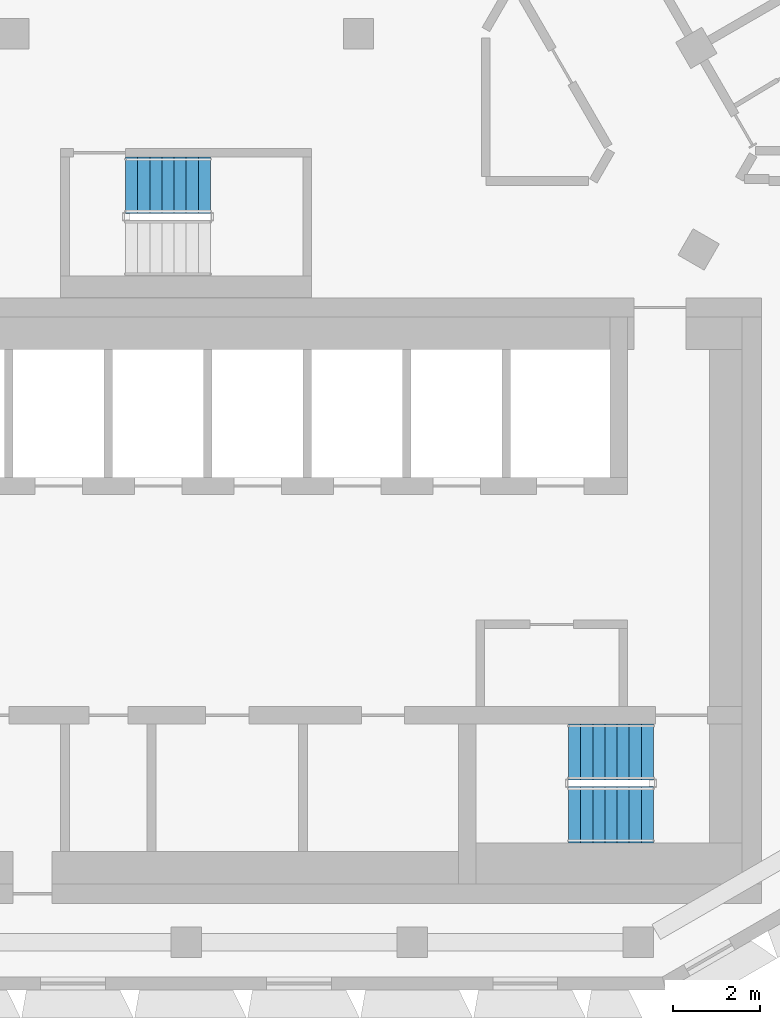
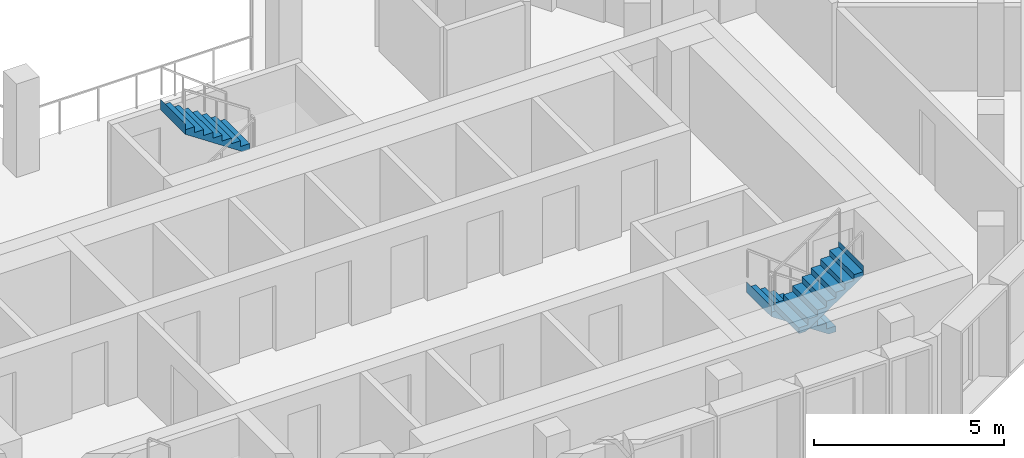
# One storey, part 9 of 14: 3 stair flights, 2 elements without a shape of their own.
"""IFC4 building model written with IfcOpenShell, lengths in metres."""

from ifc_helpers import new_model, si_unit, direction, frame, origin, place, context, subcontext, project, spatial, triangles, material, type_object, element, aggregate, save


model = new_model("IFC4")

# Units and contexts
model_context = context("Model", 3, precision=1e-05, world=origin(), true_north=direction((0.0, 1.0)))
body_context = subcontext(model_context, "Body", "Model", "MODEL_VIEW")
ifc_project = project(units=[si_unit("LENGTHUNIT", "METRE"), si_unit("AREAUNIT", "SQUARE_METRE"), si_unit("VOLUMEUNIT", "CUBIC_METRE"), si_unit("PLANEANGLEUNIT", "RADIAN"), si_unit("MASSUNIT", "GRAM", prefix="KILO")], contexts=[model_context])

# Site, building, storey
site_placement = place(None, origin())
site = spatial("IfcSite", under=ifc_project, at=site_placement, CompositionType="ELEMENT")
building_placement = place(site_placement, origin())
building = spatial("IfcBuilding", under=site, at=building_placement, Name="Beryl Residences", CompositionType="ELEMENT")
storey_placement = place(building_placement, frame((0.0, 0.0, 223.800048828125)))
storey = spatial("IfcBuildingStorey", under=building, at=storey_placement, Name="L69", CompositionType="ELEMENT", Elevation=223.800048828125)

# Stair, stair flights
ifc_material_1 = material(Name="Concrete C40/50", Category="concrete")
stair_type = type_object("IfcStairType", Name="ST1 protected exit stair, half-turn, 1300 mm flights", PredefinedType="HALF_TURN_STAIR", material=ifc_material_1)
stair_1_placement = place(storey_placement, origin())
stair_1 = element("IfcStair", 1, at=stair_1_placement, inside=storey, type_object=stair_type, Name="L69 PROTECTED EXIT STAIR ST-3", PredefinedType="HALF_TURN_STAIR")
ifc_material_2 = material(Name="Concrete C40/50", Category="concrete")
stair_flight_type = type_object("IfcStairFlightType", Name="SF1 stair flight 1300 mm", PredefinedType="STRAIGHT", material=ifc_material_2)
stair_flight_1_placement = place(storey_placement, frame((10.800048828125, -15.5, 0.0), z_axis=(0.0, 0.0, 1.0), x_axis=(-1.0, 0.0, 0.0)))
stair_flight_1 = element("IfcStairFlight", 2, at=stair_flight_1_placement, type_object=stair_flight_type, Name="ST-3 flight 1", NumberOfRisers=8, NumberOfTreads=7, PredefinedType="STRAIGHT", RiserHeight=0.1875, TreadLength=0.28, context=body_context, shape_type="Tessellation", body=[
    triangles([(0.0, -0.64990234375, 0.0), (0.0, -0.324951171875, 0.0), (0.0, 0.0, 0.0), (0.0, 0.324951171875, 0.0), (0.0, 0.64990234375, 0.0), (0.0, -0.64990234375, 0.1875), (0.0, -0.324951171875, 0.1875), (0.0, 0.0, 0.1875), (0.0, 0.324951171875, 0.1875), (0.0, 0.64990234375, 0.1875), (0.280029296875, -0.64990234375, 0.1875), (0.280029296875, -0.324951171875, 0.1875), (0.280029296875, 0.0, 0.1875), (0.280029296875, 0.324951171875, 0.1875), (0.280029296875, 0.64990234375, 0.1875), (0.280029296875, -0.64990234375, 0.375), (0.280029296875, -0.324951171875, 0.375), (0.280029296875, 0.0, 0.375), (0.280029296875, 0.324951171875, 0.375), (0.280029296875, 0.64990234375, 0.375), (0.56005859375, -0.64990234375, 0.375), (0.56005859375, -0.324951171875, 0.375), (0.56005859375, 0.0, 0.375), (0.56005859375, 0.324951171875, 0.375), (0.56005859375, 0.64990234375, 0.375), (0.56005859375, -0.64990234375, 0.5625), (0.56005859375, -0.324951171875, 0.5625), (0.56005859375, 0.0, 0.5625), (0.56005859375, 0.324951171875, 0.5625), (0.56005859375, 0.64990234375, 0.5625), (0.840087890625, -0.64990234375, 0.5625), (0.840087890625, -0.324951171875, 0.5625), (0.840087890625, 0.0, 0.5625), (0.840087890625, 0.324951171875, 0.5625), (0.840087890625, 0.64990234375, 0.5625), (0.840087890625, -0.64990234375, 0.75), (0.840087890625, -0.324951171875, 0.75), (0.840087890625, 0.0, 0.75), (0.840087890625, 0.324951171875, 0.75), (0.840087890625, 0.64990234375, 0.75), (1.1201171875, -0.64990234375, 0.75), (1.1201171875, -0.324951171875, 0.75), (1.1201171875, 0.0, 0.75), (1.1201171875, 0.324951171875, 0.75), (1.1201171875, 0.64990234375, 0.75), (1.1201171875, -0.64990234375, 0.9375), (1.1201171875, -0.324951171875, 0.9375), (1.1201171875, 0.0, 0.9375), (1.1201171875, 0.324951171875, 0.9375), (1.1201171875, 0.64990234375, 0.9375), (1.39990234375, -0.64990234375, 0.9375), (1.39990234375, -0.324951171875, 0.9375), (1.39990234375, 0.0, 0.9375), (1.39990234375, 0.324951171875, 0.9375), (1.39990234375, 0.64990234375, 0.9375), (1.39990234375, -0.64990234375, 1.125), (1.39990234375, -0.324951171875, 1.125), (1.39990234375, 0.0, 1.125), (1.39990234375, 0.324951171875, 1.125), (1.39990234375, 0.64990234375, 1.125), (1.679931640625, -0.64990234375, 1.125), (1.679931640625, -0.324951171875, 1.125), (1.679931640625, 0.0, 1.125), (1.679931640625, 0.324951171875, 1.125), (1.679931640625, 0.64990234375, 1.125), (1.679931640625, -0.64990234375, 1.3125), (1.679931640625, -0.324951171875, 1.3125), (1.679931640625, 0.0, 1.3125), (1.679931640625, 0.324951171875, 1.3125), (1.679931640625, 0.64990234375, 1.3125), (1.9599609375, -0.64990234375, 1.3125), (1.9599609375, -0.324951171875, 1.3125), (1.9599609375, 0.0, 1.3125), (1.9599609375, 0.324951171875, 1.3125), (1.9599609375, 0.64990234375, 1.3125), (1.9599609375, -0.64990234375, 1.5), (1.9599609375, -0.324951171875, 1.5), (1.9599609375, 0.0, 1.5), (1.9599609375, 0.324951171875, 1.5), (1.9599609375, 0.64990234375, 1.5), (1.9609375, -0.64990234375, 1.5), (1.9609375, -0.324951171875, 1.5), (1.9609375, 0.0, 1.5), (1.9609375, 0.324951171875, 1.5), (1.9609375, 0.64990234375, 1.5), (1.9609375, -0.64990234375, 1.16796875), (1.9609375, -0.324951171875, 1.16796875), (1.9609375, 0.0, 1.16796875), (1.9609375, 0.324951171875, 1.16796875), (1.9609375, 0.64990234375, 1.16796875), (0.216796875, -0.64990234375, 0.0), (0.216796875, -0.324951171875, 0.0), (0.216796875, 0.0, 0.0), (0.216796875, 0.324951171875, 0.0), (0.216796875, 0.64990234375, 0.0)], [[1, 6, 7], [1, 7, 2], [2, 7, 8], [2, 8, 3], [3, 8, 9], [3, 9, 4], [4, 9, 10], [4, 10, 5], [6, 11, 12], [6, 12, 7], [7, 12, 13], [7, 13, 8], [8, 13, 14], [8, 14, 9], [9, 14, 15], [9, 15, 10], [11, 16, 17], [11, 17, 12], [12, 17, 18], [12, 18, 13], [13, 18, 19], [13, 19, 14], [14, 19, 20], [14, 20, 15], [16, 21, 22], [16, 22, 17], [17, 22, 23], [17, 23, 18], [18, 23, 24], [18, 24, 19], [19, 24, 25], [19, 25, 20], [21, 26, 27], [21, 27, 22], [22, 27, 28], [22, 28, 23], [23, 28, 29], [23, 29, 24], [24, 29, 30], [24, 30, 25], [26, 31, 32], [26, 32, 27], [27, 32, 33], [27, 33, 28], [28, 33, 34], [28, 34, 29], [29, 34, 35], [29, 35, 30], [31, 36, 37], [31, 37, 32], [32, 37, 38], [32, 38, 33], [33, 38, 39], [33, 39, 34], [34, 39, 40], [34, 40, 35], [36, 41, 42], [36, 42, 37], [37, 42, 43], [37, 43, 38], [38, 43, 44], [38, 44, 39], [39, 44, 45], [39, 45, 40], [41, 46, 47], [41, 47, 42], [42, 47, 48], [42, 48, 43], [43, 48, 49], [43, 49, 44], [44, 49, 50], [44, 50, 45], [46, 51, 52], [46, 52, 47], [47, 52, 53], [47, 53, 48], [48, 53, 54], [48, 54, 49], [49, 54, 55], [49, 55, 50], [51, 56, 57], [51, 57, 52], [52, 57, 58], [52, 58, 53], [53, 58, 59], [53, 59, 54], [54, 59, 60], [54, 60, 55], [56, 61, 62], [56, 62, 57], [57, 62, 63], [57, 63, 58], [58, 63, 64], [58, 64, 59], [59, 64, 65], [59, 65, 60], [61, 66, 67], [61, 67, 62], [62, 67, 68], [62, 68, 63], [63, 68, 69], [63, 69, 64], [64, 69, 70], [64, 70, 65], [66, 71, 72], [66, 72, 67], [67, 72, 73], [67, 73, 68], [68, 73, 74], [68, 74, 69], [69, 74, 75], [69, 75, 70], [71, 76, 77], [71, 77, 72], [72, 77, 78], [72, 78, 73], [73, 78, 79], [73, 79, 74], [74, 79, 80], [74, 80, 75], [76, 81, 82], [76, 82, 77], [77, 82, 83], [77, 83, 78], [78, 83, 84], [78, 84, 79], [79, 84, 85], [79, 85, 80], [81, 86, 87], [81, 87, 82], [82, 87, 88], [82, 88, 83], [83, 88, 89], [83, 89, 84], [84, 89, 90], [84, 90, 85], [86, 91, 92], [86, 92, 87], [87, 92, 93], [87, 93, 88], [88, 93, 94], [88, 94, 89], [89, 94, 95], [89, 95, 90], [91, 1, 2], [91, 2, 92], [92, 2, 3], [92, 3, 93], [93, 3, 4], [93, 4, 94], [94, 4, 5], [94, 5, 95], [1, 91, 86], [5, 90, 95], [86, 81, 76], [90, 80, 85], [86, 76, 71], [90, 75, 80], [86, 71, 66], [90, 70, 75], [86, 66, 61], [90, 65, 70], [61, 56, 51], [65, 55, 60], [86, 61, 51], [90, 55, 65], [51, 46, 41], [55, 45, 50], [86, 51, 41], [90, 45, 55], [41, 36, 31], [45, 35, 40], [86, 41, 31], [90, 35, 45], [31, 26, 21], [35, 25, 30], [86, 31, 21], [90, 25, 35], [21, 16, 11], [25, 15, 20], [86, 21, 11], [90, 15, 25], [1, 86, 11], [5, 15, 90], [11, 6, 1], [15, 5, 10]], closed=True),
])
stair_flight_2_placement = place(storey_placement, frame((8.840087890625, -16.949951171875, 1.5), z_axis=(0.0, 0.0, 1.0), x_axis=(1.0, 0.0, 0.0)))
stair_flight_2 = element("IfcStairFlight", 3, at=stair_flight_2_placement, type_object=stair_flight_type, Name="ST-3 flight 2", NumberOfRisers=8, NumberOfTreads=7, PredefinedType="STRAIGHT", RiserHeight=0.1875, TreadLength=0.28, context=body_context, shape_type="Tessellation", body=[
    triangles([(0.0, -0.64990234375, 0.0), (0.0, -0.324951171875, 0.0), (0.0, 0.0, 0.0), (0.0, 0.324951171875, 0.0), (0.0, 0.64990234375, 0.0), (0.0, -0.64990234375, 0.1875), (0.0, -0.324951171875, 0.1875), (0.0, 0.0, 0.1875), (0.0, 0.324951171875, 0.1875), (0.0, 0.64990234375, 0.1875), (0.280029296875, -0.64990234375, 0.1875), (0.280029296875, -0.324951171875, 0.1875), (0.280029296875, 0.0, 0.1875), (0.280029296875, 0.324951171875, 0.1875), (0.280029296875, 0.64990234375, 0.1875), (0.280029296875, -0.64990234375, 0.375), (0.280029296875, -0.324951171875, 0.375), (0.280029296875, 0.0, 0.375), (0.280029296875, 0.324951171875, 0.375), (0.280029296875, 0.64990234375, 0.375), (0.56005859375, -0.64990234375, 0.375), (0.56005859375, -0.324951171875, 0.375), (0.56005859375, 0.0, 0.375), (0.56005859375, 0.324951171875, 0.375), (0.56005859375, 0.64990234375, 0.375), (0.56005859375, -0.64990234375, 0.5625), (0.56005859375, -0.324951171875, 0.5625), (0.56005859375, 0.0, 0.5625), (0.56005859375, 0.324951171875, 0.5625), (0.56005859375, 0.64990234375, 0.5625), (0.840087890625, -0.64990234375, 0.5625), (0.840087890625, -0.324951171875, 0.5625), (0.840087890625, 0.0, 0.5625), (0.840087890625, 0.324951171875, 0.5625), (0.840087890625, 0.64990234375, 0.5625), (0.840087890625, -0.64990234375, 0.75), (0.840087890625, -0.324951171875, 0.75), (0.840087890625, 0.0, 0.75), (0.840087890625, 0.324951171875, 0.75), (0.840087890625, 0.64990234375, 0.75), (1.1201171875, -0.64990234375, 0.75), (1.1201171875, -0.324951171875, 0.75), (1.1201171875, 0.0, 0.75), (1.1201171875, 0.324951171875, 0.75), (1.1201171875, 0.64990234375, 0.75), (1.1201171875, -0.64990234375, 0.9375), (1.1201171875, -0.324951171875, 0.9375), (1.1201171875, 0.0, 0.9375), (1.1201171875, 0.324951171875, 0.9375), (1.1201171875, 0.64990234375, 0.9375), (1.39990234375, -0.64990234375, 0.9375), (1.39990234375, -0.324951171875, 0.9375), (1.39990234375, 0.0, 0.9375), (1.39990234375, 0.324951171875, 0.9375), (1.39990234375, 0.64990234375, 0.9375), (1.39990234375, -0.64990234375, 1.125), (1.39990234375, -0.324951171875, 1.125), (1.39990234375, 0.0, 1.125), (1.39990234375, 0.324951171875, 1.125), (1.39990234375, 0.64990234375, 1.125), (1.679931640625, -0.64990234375, 1.125), (1.679931640625, -0.324951171875, 1.125), (1.679931640625, 0.0, 1.125), (1.679931640625, 0.324951171875, 1.125), (1.679931640625, 0.64990234375, 1.125), (1.679931640625, -0.64990234375, 1.3125), (1.679931640625, -0.324951171875, 1.3125), (1.679931640625, 0.0, 1.3125), (1.679931640625, 0.324951171875, 1.3125), (1.679931640625, 0.64990234375, 1.3125), (1.9599609375, -0.64990234375, 1.3125), (1.9599609375, -0.324951171875, 1.3125), (1.9599609375, 0.0, 1.3125), (1.9599609375, 0.324951171875, 1.3125), (1.9599609375, 0.64990234375, 1.3125), (1.9599609375, -0.64990234375, 1.5), (1.9599609375, -0.324951171875, 1.5), (1.9599609375, 0.0, 1.5), (1.9599609375, 0.324951171875, 1.5), (1.9599609375, 0.64990234375, 1.5), (1.9609375, -0.64990234375, 1.5), (1.9609375, -0.324951171875, 1.5), (1.9609375, 0.0, 1.5), (1.9609375, 0.324951171875, 1.5), (1.9609375, 0.64990234375, 1.5), (1.9609375, -0.64990234375, 1.16796875), (1.9609375, -0.324951171875, 1.16796875), (1.9609375, 0.0, 1.16796875), (1.9609375, 0.324951171875, 1.16796875), (1.9609375, 0.64990234375, 1.16796875), (0.216796875, -0.64990234375, 0.0), (0.216796875, -0.324951171875, 0.0), (0.216796875, 0.0, 0.0), (0.216796875, 0.324951171875, 0.0), (0.216796875, 0.64990234375, 0.0)], [[1, 6, 7], [1, 7, 2], [2, 7, 8], [2, 8, 3], [3, 8, 9], [3, 9, 4], [4, 9, 10], [4, 10, 5], [6, 11, 12], [6, 12, 7], [7, 12, 13], [7, 13, 8], [8, 13, 14], [8, 14, 9], [9, 14, 15], [9, 15, 10], [11, 16, 17], [11, 17, 12], [12, 17, 18], [12, 18, 13], [13, 18, 19], [13, 19, 14], [14, 19, 20], [14, 20, 15], [16, 21, 22], [16, 22, 17], [17, 22, 23], [17, 23, 18], [18, 23, 24], [18, 24, 19], [19, 24, 25], [19, 25, 20], [21, 26, 27], [21, 27, 22], [22, 27, 28], [22, 28, 23], [23, 28, 29], [23, 29, 24], [24, 29, 30], [24, 30, 25], [26, 31, 32], [26, 32, 27], [27, 32, 33], [27, 33, 28], [28, 33, 34], [28, 34, 29], [29, 34, 35], [29, 35, 30], [31, 36, 37], [31, 37, 32], [32, 37, 38], [32, 38, 33], [33, 38, 39], [33, 39, 34], [34, 39, 40], [34, 40, 35], [36, 41, 42], [36, 42, 37], [37, 42, 43], [37, 43, 38], [38, 43, 44], [38, 44, 39], [39, 44, 45], [39, 45, 40], [41, 46, 47], [41, 47, 42], [42, 47, 48], [42, 48, 43], [43, 48, 49], [43, 49, 44], [44, 49, 50], [44, 50, 45], [46, 51, 52], [46, 52, 47], [47, 52, 53], [47, 53, 48], [48, 53, 54], [48, 54, 49], [49, 54, 55], [49, 55, 50], [51, 56, 57], [51, 57, 52], [52, 57, 58], [52, 58, 53], [53, 58, 59], [53, 59, 54], [54, 59, 60], [54, 60, 55], [56, 61, 62], [56, 62, 57], [57, 62, 63], [57, 63, 58], [58, 63, 64], [58, 64, 59], [59, 64, 65], [59, 65, 60], [61, 66, 67], [61, 67, 62], [62, 67, 68], [62, 68, 63], [63, 68, 69], [63, 69, 64], [64, 69, 70], [64, 70, 65], [66, 71, 72], [66, 72, 67], [67, 72, 73], [67, 73, 68], [68, 73, 74], [68, 74, 69], [69, 74, 75], [69, 75, 70], [71, 76, 77], [71, 77, 72], [72, 77, 78], [72, 78, 73], [73, 78, 79], [73, 79, 74], [74, 79, 80], [74, 80, 75], [76, 81, 82], [76, 82, 77], [77, 82, 83], [77, 83, 78], [78, 83, 84], [78, 84, 79], [79, 84, 85], [79, 85, 80], [81, 86, 87], [81, 87, 82], [82, 87, 88], [82, 88, 83], [83, 88, 89], [83, 89, 84], [84, 89, 90], [84, 90, 85], [86, 91, 92], [86, 92, 87], [87, 92, 93], [87, 93, 88], [88, 93, 94], [88, 94, 89], [89, 94, 95], [89, 95, 90], [91, 1, 2], [91, 2, 92], [92, 2, 3], [92, 3, 93], [93, 3, 4], [93, 4, 94], [94, 4, 5], [94, 5, 95], [1, 91, 86], [5, 90, 95], [86, 81, 76], [90, 80, 85], [86, 76, 71], [90, 75, 80], [86, 71, 66], [90, 70, 75], [86, 66, 61], [90, 65, 70], [61, 56, 51], [65, 55, 60], [86, 61, 51], [90, 55, 65], [51, 46, 41], [55, 45, 50], [86, 51, 41], [90, 45, 55], [41, 36, 31], [45, 35, 40], [86, 41, 31], [90, 35, 45], [31, 26, 21], [35, 25, 30], [86, 31, 21], [90, 25, 35], [21, 16, 11], [25, 15, 20], [86, 21, 11], [90, 15, 25], [1, 86, 11], [5, 15, 90], [11, 6, 1], [15, 5, 10]], closed=True),
])
aggregate(stair_1, [stair_flight_1, stair_flight_2])

# Stair, stair flight
stair_2_placement = place(storey_placement, origin())
stair_2 = element("IfcStair", 4, at=stair_2_placement, inside=storey, type_object=stair_type, Name="L69 PROTECTED EXIT STAIR ST-4", PredefinedType="HALF_TURN_STAIR")
stair_flight_3_placement = place(storey_placement, frame((0.56005859375, -2.39990234375, 1.5), z_axis=(0.0, 0.0, 1.0), x_axis=(-1.0, 0.0, 0.0)))
stair_flight_3 = element("IfcStairFlight", 5, at=stair_flight_3_placement, type_object=stair_flight_type, Name="ST-4 flight 2", NumberOfRisers=8, NumberOfTreads=7, PredefinedType="STRAIGHT", RiserHeight=0.1875, TreadLength=0.28, context=body_context, shape_type="Tessellation", body=[
    triangles([(0.0, -0.64990234375, 0.0), (0.0, -0.324951171875, 0.0), (0.0, 0.0, 0.0), (0.0, 0.324951171875, 0.0), (0.0, 0.64990234375, 0.0), (0.0, -0.64990234375, 0.1875), (0.0, -0.324951171875, 0.1875), (0.0, 0.0, 0.1875), (0.0, 0.324951171875, 0.1875), (0.0, 0.64990234375, 0.1875), (0.280029296875, -0.64990234375, 0.1875), (0.280029296875, -0.324951171875, 0.1875), (0.280029296875, 0.0, 0.1875), (0.280029296875, 0.324951171875, 0.1875), (0.280029296875, 0.64990234375, 0.1875), (0.280029296875, -0.64990234375, 0.375), (0.280029296875, -0.324951171875, 0.375), (0.280029296875, 0.0, 0.375), (0.280029296875, 0.324951171875, 0.375), (0.280029296875, 0.64990234375, 0.375), (0.56005859375, -0.64990234375, 0.375), (0.56005859375, -0.324951171875, 0.375), (0.56005859375, 0.0, 0.375), (0.56005859375, 0.324951171875, 0.375), (0.56005859375, 0.64990234375, 0.375), (0.56005859375, -0.64990234375, 0.5625), (0.56005859375, -0.324951171875, 0.5625), (0.56005859375, 0.0, 0.5625), (0.56005859375, 0.324951171875, 0.5625), (0.56005859375, 0.64990234375, 0.5625), (0.840087890625, -0.64990234375, 0.5625), (0.840087890625, -0.324951171875, 0.5625), (0.840087890625, 0.0, 0.5625), (0.840087890625, 0.324951171875, 0.5625), (0.840087890625, 0.64990234375, 0.5625), (0.840087890625, -0.64990234375, 0.75), (0.840087890625, -0.324951171875, 0.75), (0.840087890625, 0.0, 0.75), (0.840087890625, 0.324951171875, 0.75), (0.840087890625, 0.64990234375, 0.75), (1.1201171875, -0.64990234375, 0.75), (1.1201171875, -0.324951171875, 0.75), (1.1201171875, 0.0, 0.75), (1.1201171875, 0.324951171875, 0.75), (1.1201171875, 0.64990234375, 0.75), (1.1201171875, -0.64990234375, 0.9375), (1.1201171875, -0.324951171875, 0.9375), (1.1201171875, 0.0, 0.9375), (1.1201171875, 0.324951171875, 0.9375), (1.1201171875, 0.64990234375, 0.9375), (1.39990234375, -0.64990234375, 0.9375), (1.39990234375, -0.324951171875, 0.9375), (1.39990234375, 0.0, 0.9375), (1.39990234375, 0.324951171875, 0.9375), (1.39990234375, 0.64990234375, 0.9375), (1.39990234375, -0.64990234375, 1.125), (1.39990234375, -0.324951171875, 1.125), (1.39990234375, 0.0, 1.125), (1.39990234375, 0.324951171875, 1.125), (1.39990234375, 0.64990234375, 1.125), (1.679931640625, -0.64990234375, 1.125), (1.679931640625, -0.324951171875, 1.125), (1.679931640625, 0.0, 1.125), (1.679931640625, 0.324951171875, 1.125), (1.679931640625, 0.64990234375, 1.125), (1.679931640625, -0.64990234375, 1.3125), (1.679931640625, -0.324951171875, 1.3125), (1.679931640625, 0.0, 1.3125), (1.679931640625, 0.324951171875, 1.3125), (1.679931640625, 0.64990234375, 1.3125), (1.9599609375, -0.64990234375, 1.3125), (1.9599609375, -0.324951171875, 1.3125), (1.9599609375, 0.0, 1.3125), (1.9599609375, 0.324951171875, 1.3125), (1.9599609375, 0.64990234375, 1.3125), (1.9599609375, -0.64990234375, 1.5), (1.9599609375, -0.324951171875, 1.5), (1.9599609375, 0.0, 1.5), (1.9599609375, 0.324951171875, 1.5), (1.9599609375, 0.64990234375, 1.5), (1.9609375, -0.64990234375, 1.5), (1.9609375, -0.324951171875, 1.5), (1.9609375, 0.0, 1.5), (1.9609375, 0.324951171875, 1.5), (1.9609375, 0.64990234375, 1.5), (1.9609375, -0.64990234375, 1.16796875), (1.9609375, -0.324951171875, 1.16796875), (1.9609375, 0.0, 1.16796875), (1.9609375, 0.324951171875, 1.16796875), (1.9609375, 0.64990234375, 1.16796875), (0.216796875, -0.64990234375, 0.0), (0.216796875, -0.324951171875, 0.0), (0.216796875, 0.0, 0.0), (0.216796875, 0.324951171875, 0.0), (0.216796875, 0.64990234375, 0.0)], [[1, 6, 7], [1, 7, 2], [2, 7, 8], [2, 8, 3], [3, 8, 9], [3, 9, 4], [4, 9, 10], [4, 10, 5], [6, 11, 12], [6, 12, 7], [7, 12, 13], [7, 13, 8], [8, 13, 14], [8, 14, 9], [9, 14, 15], [9, 15, 10], [11, 16, 17], [11, 17, 12], [12, 17, 18], [12, 18, 13], [13, 18, 19], [13, 19, 14], [14, 19, 20], [14, 20, 15], [16, 21, 22], [16, 22, 17], [17, 22, 23], [17, 23, 18], [18, 23, 24], [18, 24, 19], [19, 24, 25], [19, 25, 20], [21, 26, 27], [21, 27, 22], [22, 27, 28], [22, 28, 23], [23, 28, 29], [23, 29, 24], [24, 29, 30], [24, 30, 25], [26, 31, 32], [26, 32, 27], [27, 32, 33], [27, 33, 28], [28, 33, 34], [28, 34, 29], [29, 34, 35], [29, 35, 30], [31, 36, 37], [31, 37, 32], [32, 37, 38], [32, 38, 33], [33, 38, 39], [33, 39, 34], [34, 39, 40], [34, 40, 35], [36, 41, 42], [36, 42, 37], [37, 42, 43], [37, 43, 38], [38, 43, 44], [38, 44, 39], [39, 44, 45], [39, 45, 40], [41, 46, 47], [41, 47, 42], [42, 47, 48], [42, 48, 43], [43, 48, 49], [43, 49, 44], [44, 49, 50], [44, 50, 45], [46, 51, 52], [46, 52, 47], [47, 52, 53], [47, 53, 48], [48, 53, 54], [48, 54, 49], [49, 54, 55], [49, 55, 50], [51, 56, 57], [51, 57, 52], [52, 57, 58], [52, 58, 53], [53, 58, 59], [53, 59, 54], [54, 59, 60], [54, 60, 55], [56, 61, 62], [56, 62, 57], [57, 62, 63], [57, 63, 58], [58, 63, 64], [58, 64, 59], [59, 64, 65], [59, 65, 60], [61, 66, 67], [61, 67, 62], [62, 67, 68], [62, 68, 63], [63, 68, 69], [63, 69, 64], [64, 69, 70], [64, 70, 65], [66, 71, 72], [66, 72, 67], [67, 72, 73], [67, 73, 68], [68, 73, 74], [68, 74, 69], [69, 74, 75], [69, 75, 70], [71, 76, 77], [71, 77, 72], [72, 77, 78], [72, 78, 73], [73, 78, 79], [73, 79, 74], [74, 79, 80], [74, 80, 75], [76, 81, 82], [76, 82, 77], [77, 82, 83], [77, 83, 78], [78, 83, 84], [78, 84, 79], [79, 84, 85], [79, 85, 80], [81, 86, 87], [81, 87, 82], [82, 87, 88], [82, 88, 83], [83, 88, 89], [83, 89, 84], [84, 89, 90], [84, 90, 85], [86, 91, 92], [86, 92, 87], [87, 92, 93], [87, 93, 88], [88, 93, 94], [88, 94, 89], [89, 94, 95], [89, 95, 90], [91, 1, 2], [91, 2, 92], [92, 2, 3], [92, 3, 93], [93, 3, 4], [93, 4, 94], [94, 4, 5], [94, 5, 95], [1, 91, 86], [5, 90, 95], [86, 81, 76], [90, 80, 85], [86, 76, 71], [90, 75, 80], [86, 71, 66], [90, 70, 75], [86, 66, 61], [90, 65, 70], [61, 56, 51], [65, 55, 60], [86, 61, 51], [90, 55, 65], [51, 46, 41], [55, 45, 50], [86, 51, 41], [90, 45, 55], [41, 36, 31], [45, 35, 40], [86, 41, 31], [90, 35, 45], [31, 26, 21], [35, 25, 30], [86, 31, 21], [90, 25, 35], [21, 16, 11], [25, 15, 20], [86, 21, 11], [90, 15, 25], [1, 86, 11], [5, 15, 90], [11, 6, 1], [15, 5, 10]], closed=True),
])
aggregate(stair_2, [stair_flight_3])

save(model, "model.ifc")
